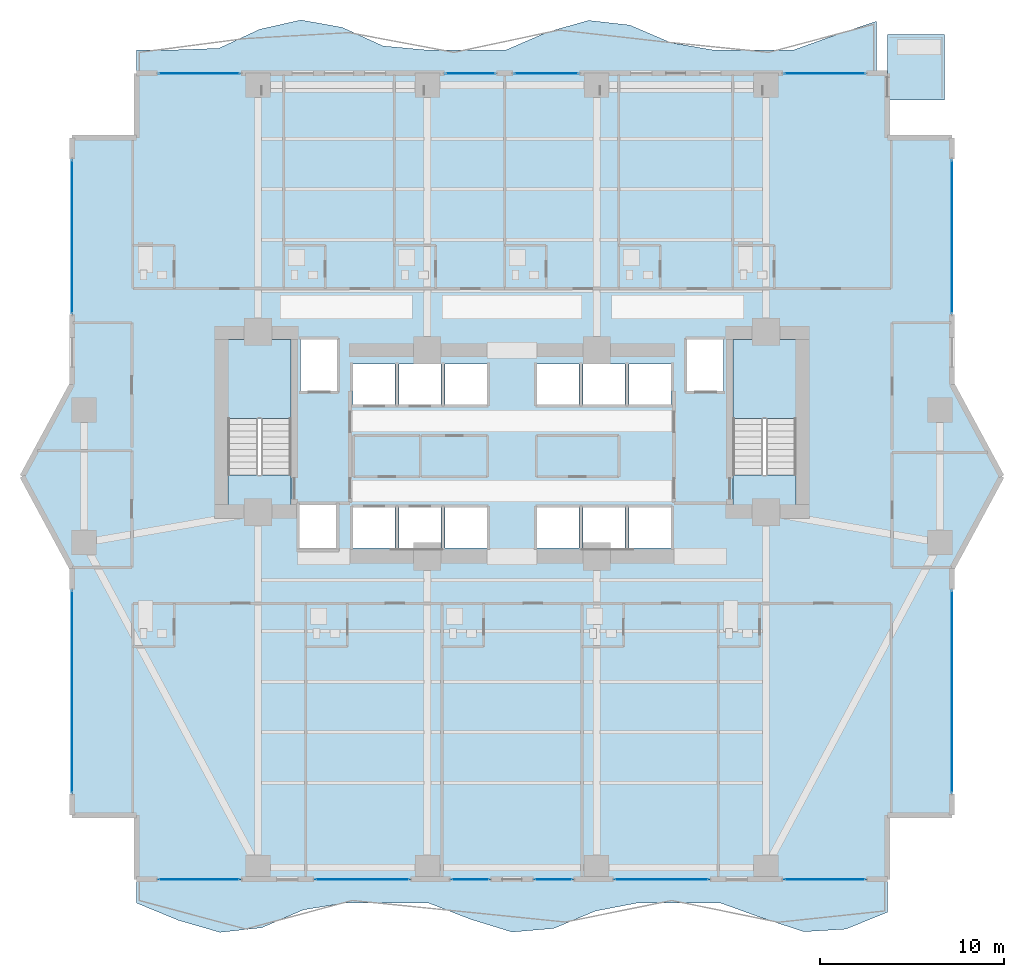
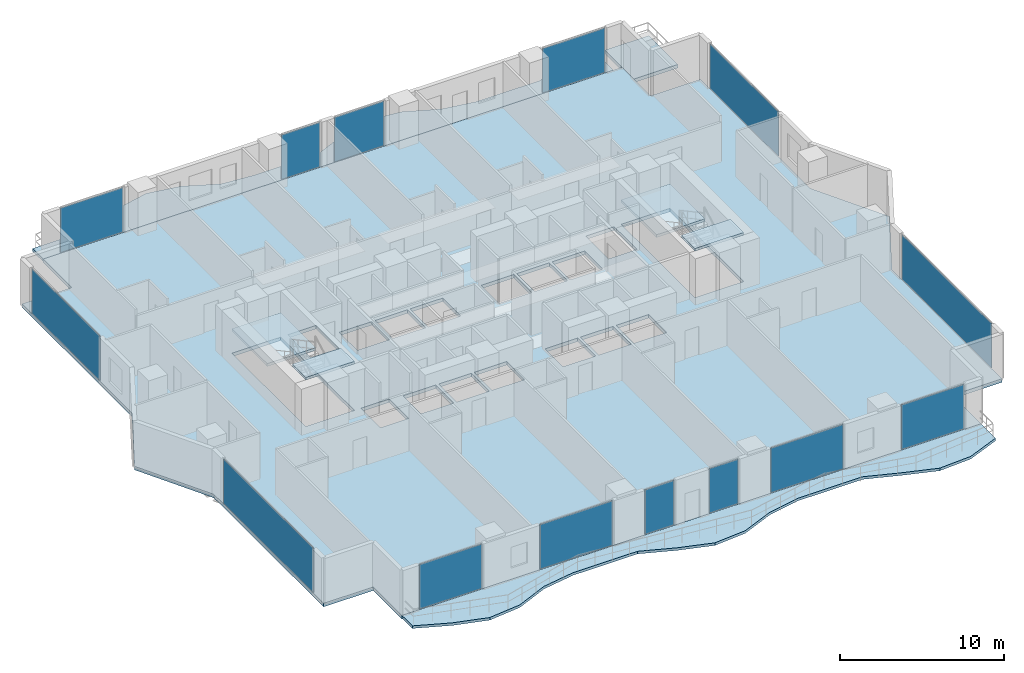
# One storey, part 19 of 29: 14 plates, 8 slabs, 16 elements without a shape of their own.
"""IFC4 building model written with IfcOpenShell, lengths in metres."""

from ifc_helpers import new_model, si_unit, direction, frame, origin, origin_2d, place, context, subcontext, project, spatial, polyline, rectangle, outline, extrude, material, layer, layer_set, type_object, element, aggregate, save


model = new_model("IFC4")

# Units and contexts
model_context = context("Model", 3, precision=1e-05, world=origin(), true_north=direction((0.0, 1.0)))
body_context = subcontext(model_context, "Body", "Model", "MODEL_VIEW")
ifc_project = project(units=[si_unit("LENGTHUNIT", "METRE"), si_unit("AREAUNIT", "SQUARE_METRE"), si_unit("VOLUMEUNIT", "CUBIC_METRE"), si_unit("PLANEANGLEUNIT", "RADIAN"), si_unit("MASSUNIT", "GRAM", prefix="KILO")], contexts=[model_context])

# Site, building, storey
site_placement = place(None, origin())
site = spatial("IfcSite", under=ifc_project, at=site_placement, CompositionType="ELEMENT")
building_placement = place(site_placement, origin())
building = spatial("IfcBuilding", under=site, at=building_placement, Name="Zuhayl Quay Hotel", CompositionType="ELEMENT")
storey_placement = place(building_placement, frame((0.0, 0.0, 95.64990234375)))
storey = spatial("IfcBuildingStorey", under=building, at=storey_placement, Name="L23", CompositionType="ELEMENT", Elevation=95.64990234375)

# Curtain wall, plate
ifc_material_1 = material(Name="Anodised Aluminium 6063-T6", Category="aluminium")
ifc_layer_1 = layer(ifc_material_1, 0.179931640625, Name="Anodised Aluminium 6063-T6", Category="aluminium")
ifc_layer_set_1 = layer_set([ifc_layer_1], Name="Anodised Aluminium 6063-T6")
curtain_wall_type = type_object("IfcCurtainWallType", Name="CW_SYS_Z2", PredefinedType="USERDEFINED", material=ifc_layer_set_1)
curtain_wall_1_placement = place(storey_placement, origin())
curtain_wall_1 = element("IfcCurtainWall", 1, at=curtain_wall_1_placement, inside=storey, type_object=curtain_wall_type, Name="L23 Curtain Wall ENV_L23_E02_CW1", ObjectType="UNITISED CURTAIN WALL", PredefinedType="USERDEFINED")
ifc_material_2 = material(Name="Dark Ceramic-Fritted Solar Glass", Category="glass")
ifc_layer_2 = layer(ifc_material_2, 0.035888671875, Name="Dark Ceramic-Fritted Solar Glass", Category="glass")
ifc_layer_set_2 = layer_set([ifc_layer_2], Name="Dark Ceramic-Fritted Solar Glass")
plate_type = type_object("IfcPlateType", Name="PN_DARK_FRIT_Z1", PredefinedType="CURTAIN_PANEL", material=ifc_layer_set_2)
plate_1_placement = place(storey_placement, frame((-23.89990234375, -5.199951171875, 0.06005859375), z_axis=(0.0, 0.0, 1.0), x_axis=(0.0, 1.0, 0.0)))
plate_1 = element("IfcPlate", 2, at=plate_1_placement, type_object=plate_type, Name="CW-Z2 panel 1.1", PredefinedType="CURTAIN_PANEL", context=body_context, shape_type="SweptSolid", body=[
    extrude(rectangle(XDim=10.969970703125, YDim=0.035888671875, at=origin_2d()), origin(), (0.0, 0.0, 1.0), 3.31005859375),
])
aggregate(curtain_wall_1, [plate_1])

curtain_wall_2_placement = place(storey_placement, origin())
curtain_wall_2 = element("IfcCurtainWall", 3, at=curtain_wall_2_placement, inside=storey, type_object=curtain_wall_type, Name="L23 Curtain Wall ENV_L23_E05_CW1", ObjectType="UNITISED CURTAIN WALL", PredefinedType="USERDEFINED")
plate_2_placement = place(storey_placement, frame((-23.89990234375, 19.52490234375, 0.06005859375), z_axis=(0.0, 0.0, 1.0), x_axis=(0.0, 1.0, 0.0)))
plate_2 = element("IfcPlate", 4, at=plate_2_placement, type_object=plate_type, Name="CW-Z2 panel 1.1", PredefinedType="CURTAIN_PANEL", context=body_context, shape_type="SweptSolid", body=[
    extrude(rectangle(XDim=8.320068359375, YDim=0.035888671875, at=origin_2d()), origin(), (0.0, 0.0, 1.0), 3.31005859375),
])
aggregate(curtain_wall_2, [plate_2])

curtain_wall_3_placement = place(storey_placement, origin())
curtain_wall_3 = element("IfcCurtainWall", 5, at=curtain_wall_3_placement, inside=storey, type_object=curtain_wall_type, Name="L23 Curtain Wall ENV_L23_N_CW1", ObjectType="UNITISED CURTAIN WALL", PredefinedType="USERDEFINED")
plate_3_placement = place(storey_placement, frame((-16.985107421875, 28.39990234375, 0.06005859375), z_axis=(0.0, 0.0, 1.0), x_axis=(1.0, 0.0, 0.0)))
plate_3 = element("IfcPlate", 6, at=plate_3_placement, type_object=plate_type, Name="CW-Z2 panel 1.1", PredefinedType="CURTAIN_PANEL", context=body_context, shape_type="SweptSolid", body=[
    extrude(rectangle(XDim=4.39990234375, YDim=0.035888671875, at=origin_2d()), origin(), (0.0, 0.0, 1.0), 3.31005859375),
])
aggregate(curtain_wall_3, [plate_3])

curtain_wall_4_placement = place(storey_placement, origin())
curtain_wall_4 = element("IfcCurtainWall", 7, at=curtain_wall_4_placement, inside=storey, type_object=curtain_wall_type, Name="L23 Curtain Wall ENV_L23_N_CW2", ObjectType="UNITISED CURTAIN WALL", PredefinedType="USERDEFINED")
plate_4_placement = place(storey_placement, frame((-2.264892578125, 28.39990234375, 0.06005859375), z_axis=(0.0, 0.0, 1.0), x_axis=(1.0, 0.0, 0.0)))
plate_4 = element("IfcPlate", 8, at=plate_4_placement, type_object=plate_type, Name="CW-Z2 panel 1.1", PredefinedType="CURTAIN_PANEL", context=body_context, shape_type="SweptSolid", body=[
    extrude(rectangle(XDim=2.699951171875, YDim=0.035888671875, at=origin_2d()), origin(), (0.0, 0.0, 1.0), 3.31005859375),
])
aggregate(curtain_wall_4, [plate_4])

curtain_wall_5_placement = place(storey_placement, origin())
curtain_wall_5 = element("IfcCurtainWall", 9, at=curtain_wall_5_placement, inside=storey, type_object=curtain_wall_type, Name="L23 Curtain Wall ENV_L23_N_CW3", ObjectType="UNITISED CURTAIN WALL", PredefinedType="USERDEFINED")
plate_5_placement = place(storey_placement, frame((1.864990234375, 28.39990234375, 0.06005859375), z_axis=(0.0, 0.0, 1.0), x_axis=(1.0, 0.0, 0.0)))
plate_5 = element("IfcPlate", 10, at=plate_5_placement, type_object=plate_type, Name="CW-Z2 panel 1.1", PredefinedType="CURTAIN_PANEL", context=body_context, shape_type="SweptSolid", body=[
    extrude(rectangle(XDim=3.5, YDim=0.035888671875, at=origin_2d()), origin(), (0.0, 0.0, 1.0), 3.31005859375),
])
aggregate(curtain_wall_5, [plate_5])

curtain_wall_6_placement = place(storey_placement, origin())
curtain_wall_6 = element("IfcCurtainWall", 11, at=curtain_wall_6_placement, inside=storey, type_object=curtain_wall_type, Name="L23 Curtain Wall ENV_L23_N_CW4", ObjectType="UNITISED CURTAIN WALL", PredefinedType="USERDEFINED")
plate_6_placement = place(storey_placement, frame((16.985107421875, 28.39990234375, 0.06005859375), z_axis=(0.0, 0.0, 1.0), x_axis=(1.0, 0.0, 0.0)))
plate_6 = element("IfcPlate", 12, at=plate_6_placement, type_object=plate_type, Name="CW-Z2 panel 1.1", PredefinedType="CURTAIN_PANEL", context=body_context, shape_type="SweptSolid", body=[
    extrude(rectangle(XDim=4.39990234375, YDim=0.035888671875, at=origin_2d()), origin(), (0.0, 0.0, 1.0), 3.31005859375),
])
aggregate(curtain_wall_6, [plate_6])

curtain_wall_7_placement = place(storey_placement, origin())
curtain_wall_7 = element("IfcCurtainWall", 13, at=curtain_wall_7_placement, inside=storey, type_object=curtain_wall_type, Name="L23 Curtain Wall ENV_L23_E11_CW1", ObjectType="UNITISED CURTAIN WALL", PredefinedType="USERDEFINED")
plate_7_placement = place(storey_placement, frame((23.89990234375, 19.52490234375, 0.06005859375), z_axis=(0.0, 0.0, 1.0), x_axis=(0.0, -1.0, 0.0)))
plate_7 = element("IfcPlate", 14, at=plate_7_placement, type_object=plate_type, Name="CW-Z2 panel 1.1", PredefinedType="CURTAIN_PANEL", context=body_context, shape_type="SweptSolid", body=[
    extrude(rectangle(XDim=8.320068359375, YDim=0.035888671875, at=origin_2d()), origin(), (0.0, 0.0, 1.0), 3.31005859375),
])
aggregate(curtain_wall_7, [plate_7])

curtain_wall_8_placement = place(storey_placement, origin())
curtain_wall_8 = element("IfcCurtainWall", 15, at=curtain_wall_8_placement, inside=storey, type_object=curtain_wall_type, Name="L23 Curtain Wall ENV_L23_E14_CW1", ObjectType="UNITISED CURTAIN WALL", PredefinedType="USERDEFINED")
plate_8_placement = place(storey_placement, frame((23.89990234375, -5.199951171875, 0.06005859375), z_axis=(0.0, 0.0, 1.0), x_axis=(0.0, -1.0, 0.0)))
plate_8 = element("IfcPlate", 16, at=plate_8_placement, type_object=plate_type, Name="CW-Z2 panel 1.1", PredefinedType="CURTAIN_PANEL", context=body_context, shape_type="SweptSolid", body=[
    extrude(rectangle(XDim=10.969970703125, YDim=0.035888671875, at=origin_2d()), origin(), (0.0, 0.0, 1.0), 3.31005859375),
])
aggregate(curtain_wall_8, [plate_8])

curtain_wall_9_placement = place(storey_placement, origin())
curtain_wall_9 = element("IfcCurtainWall", 17, at=curtain_wall_9_placement, inside=storey, type_object=curtain_wall_type, Name="L23 Curtain Wall ENV_L23_S_CW1", ObjectType="UNITISED CURTAIN WALL", PredefinedType="USERDEFINED")
plate_9_placement = place(storey_placement, frame((16.985107421875, -15.39990234375, 0.06005859375), z_axis=(0.0, 0.0, 1.0), x_axis=(-1.0, 0.0, 0.0)))
plate_9 = element("IfcPlate", 18, at=plate_9_placement, type_object=plate_type, Name="CW-Z2 panel 1.1", PredefinedType="CURTAIN_PANEL", context=body_context, shape_type="SweptSolid", body=[
    extrude(rectangle(XDim=4.39990234375, YDim=0.035888671875, at=origin_2d()), origin(), (0.0, 0.0, 1.0), 3.31005859375),
])
aggregate(curtain_wall_9, [plate_9])

curtain_wall_10_placement = place(storey_placement, origin())
curtain_wall_10 = element("IfcCurtainWall", 19, at=curtain_wall_10_placement, inside=storey, type_object=curtain_wall_type, Name="L23 Curtain Wall ENV_L23_S_CW2", ObjectType="UNITISED CURTAIN WALL", PredefinedType="USERDEFINED")
plate_10_placement = place(storey_placement, frame((8.135009765625, -15.39990234375, 0.06005859375), z_axis=(0.0, 0.0, 1.0), x_axis=(-1.0, 0.0, 0.0)))
plate_10 = element("IfcPlate", 20, at=plate_10_placement, type_object=plate_type, Name="CW-Z2 panel 1.1", PredefinedType="CURTAIN_PANEL", context=body_context, shape_type="SweptSolid", body=[
    extrude(rectangle(XDim=5.10009765625, YDim=0.035888671875, at=origin_2d()), origin(), (0.0, 0.0, 1.0), 3.31005859375),
])
aggregate(curtain_wall_10, [plate_10])

curtain_wall_11_placement = place(storey_placement, origin())
curtain_wall_11 = element("IfcCurtainWall", 21, at=curtain_wall_11_placement, inside=storey, type_object=curtain_wall_type, Name="L23 Curtain Wall ENV_L23_S_CW3", ObjectType="UNITISED CURTAIN WALL", PredefinedType="USERDEFINED")
plate_11_placement = place(storey_placement, frame((2.262451171875, -15.39990234375, 0.06005859375), z_axis=(0.0, 0.0, 1.0), x_axis=(-1.0, 0.0, 0.0)))
plate_11 = element("IfcPlate", 22, at=plate_11_placement, type_object=plate_type, Name="CW-Z2 panel 1.1", PredefinedType="CURTAIN_PANEL", context=body_context, shape_type="SweptSolid", body=[
    extrude(rectangle(XDim=2.044921875, YDim=0.035888671875, at=origin_2d()), origin(), (0.0, 0.0, 1.0), 3.31005859375),
])
aggregate(curtain_wall_11, [plate_11])

curtain_wall_12_placement = place(storey_placement, origin())
curtain_wall_12 = element("IfcCurtainWall", 23, at=curtain_wall_12_placement, inside=storey, type_object=curtain_wall_type, Name="L23 Curtain Wall ENV_L23_S_CW4", ObjectType="UNITISED CURTAIN WALL", PredefinedType="USERDEFINED")
plate_12_placement = place(storey_placement, frame((-2.262451171875, -15.39990234375, 0.06005859375), z_axis=(0.0, 0.0, 1.0), x_axis=(-1.0, 0.0, 0.0)))
plate_12 = element("IfcPlate", 24, at=plate_12_placement, type_object=plate_type, Name="CW-Z2 panel 1.1", PredefinedType="CURTAIN_PANEL", context=body_context, shape_type="SweptSolid", body=[
    extrude(rectangle(XDim=2.044921875, YDim=0.035888671875, at=origin_2d()), origin(), (0.0, 0.0, 1.0), 3.31005859375),
])
aggregate(curtain_wall_12, [plate_12])

curtain_wall_13_placement = place(storey_placement, origin())
curtain_wall_13 = element("IfcCurtainWall", 25, at=curtain_wall_13_placement, inside=storey, type_object=curtain_wall_type, Name="L23 Curtain Wall ENV_L23_S_CW5", ObjectType="UNITISED CURTAIN WALL", PredefinedType="USERDEFINED")
plate_13_placement = place(storey_placement, frame((-8.135009765625, -15.39990234375, 0.06005859375), z_axis=(0.0, 0.0, 1.0), x_axis=(-1.0, 0.0, 0.0)))
plate_13 = element("IfcPlate", 26, at=plate_13_placement, type_object=plate_type, Name="CW-Z2 panel 1.1", PredefinedType="CURTAIN_PANEL", context=body_context, shape_type="SweptSolid", body=[
    extrude(rectangle(XDim=5.10009765625, YDim=0.035888671875, at=origin_2d()), origin(), (0.0, 0.0, 1.0), 3.31005859375),
])
aggregate(curtain_wall_13, [plate_13])

curtain_wall_14_placement = place(storey_placement, origin())
curtain_wall_14 = element("IfcCurtainWall", 27, at=curtain_wall_14_placement, inside=storey, type_object=curtain_wall_type, Name="L23 Curtain Wall ENV_L23_S_CW6", ObjectType="UNITISED CURTAIN WALL", PredefinedType="USERDEFINED")
plate_14_placement = place(storey_placement, frame((-16.985107421875, -15.39990234375, 0.06005859375), z_axis=(0.0, 0.0, 1.0), x_axis=(-1.0, 0.0, 0.0)))
plate_14 = element("IfcPlate", 28, at=plate_14_placement, type_object=plate_type, Name="CW-Z2 panel 1.1", PredefinedType="CURTAIN_PANEL", context=body_context, shape_type="SweptSolid", body=[
    extrude(rectangle(XDim=4.39990234375, YDim=0.035888671875, at=origin_2d()), origin(), (0.0, 0.0, 1.0), 3.31005859375),
])
aggregate(curtain_wall_14, [plate_14])

# Slabs
ifc_material_3 = material(Name="Concrete C45/55", Category="concrete")
ifc_layer_3 = layer(ifc_material_3, 0.195068359375, Name="Concrete C45/55", Category="concrete")
ifc_layer_set_3 = layer_set([ifc_layer_3], Name="Concrete C45/55")
slab_type_1 = type_object("IfcSlabType", Name="SL_BALCONY_195", PredefinedType="FLOOR", material=ifc_layer_set_3)
slab_1_placement = place(storey_placement, frame((0.0, 0.0, -0.19482421875)))
element("IfcSlab", 29, at=slab_1_placement, inside=storey, type_object=slab_type_1, Name="L23 Exterior Rippling Balcony Slab North", PredefinedType="FLOOR", context=body_context, shape_type="SweptSolid", body=[
    extrude(outline(polyline([(-20.39990234375, 28.39990234375), (19.800048828125, 28.39990234375), (19.800048828125, 31.228271484375), (17.566650390625, 30.482666015625), (15.333251953125, 29.679931640625), (13.10009765625, 29.679931640625), (10.86669921875, 29.679931640625), (8.63330078125, 30.06640625), (6.39990234375, 31.021484375), (4.166748046875, 31.27587890625), (1.933349609375, 30.646484375), (-0.300048828125, 29.679931640625), (-2.533203125, 29.679931640625), (-4.7666015625, 29.679931640625), (-7.0, 29.88671875), (-9.2333984375, 30.8984375), (-11.466796875, 31.29833984375), (-13.699951171875, 30.7978515625), (-15.933349609375, 29.75830078125), (-18.166748046875, 29.679931640625), (-20.39990234375, 29.679931640625), (-20.39990234375, 28.39990234375)])), origin(), (0.0, 0.0, 1.0), 0.19482421875),
])
slab_2_placement = place(storey_placement, frame((0.0, 0.0, -0.19482421875)))
element("IfcSlab", 30, at=slab_2_placement, inside=storey, type_object=slab_type_1, Name="L23 Exterior Rippling Balcony Slab South", PredefinedType="FLOOR", context=body_context, shape_type="SweptSolid", body=[
    extrude(outline(polyline([(-20.39990234375, -16.679931640625), (-18.13330078125, -17.617431640625), (-15.86669921875, -18.272705078125), (-13.60009765625, -18.021484375), (-11.333251953125, -17.050048828125), (-9.066650390625, -16.679931640625), (-6.800048828125, -16.679931640625), (-4.533203125, -16.679931640625), (-2.2666015625, -17.558349609375), (0.0, -18.25732421875), (2.2666015625, -18.061279296875), (4.533203125, -17.115478515625), (6.800048828125, -16.679931640625), (9.066650390625, -16.679931640625), (11.333251953125, -16.679931640625), (13.60009765625, -17.498046875), (15.86669921875, -18.23876953125), (18.13330078125, -18.098388671875), (20.39990234375, -17.1806640625), (20.39990234375, -15.39990234375), (-20.39990234375, -15.39990234375), (-20.39990234375, -16.679931640625)])), origin(), (0.0, 0.0, 1.0), 0.19482421875),
])
ifc_layer_4 = layer(ifc_material_3, 0.260009765625, Name="Concrete C45/55", Category="concrete")
ifc_layer_set_4 = layer_set([ifc_layer_4], Name="Concrete C45/55")
slab_type_2 = type_object("IfcSlabType", Name="SL_FLOOR_260", PredefinedType="FLOOR", material=ifc_layer_set_4)
slab_3_placement = place(storey_placement, frame((0.0, 0.0, -0.260009765625)))
element("IfcSlab", 31, at=slab_3_placement, inside=storey, type_object=slab_type_2, Name="L23 Structural Floor Slab", PredefinedType="FLOOR", context=body_context, shape_type="SweptSolid", body=[
    extrude(outline(polyline([(-20.39990234375, -15.39990234375), (20.39990234375, -15.39990234375), (20.39990234375, -11.89990234375), (23.89990234375, -11.89990234375), (23.89990234375, 1.5), (26.60009765625, 6.5), (23.89990234375, 11.5), (23.89990234375, 24.89990234375), (20.39990234375, 24.89990234375), (20.39990234375, 28.39990234375), (-20.39990234375, 28.39990234375), (-20.39990234375, 24.89990234375), (-23.89990234375, 24.89990234375), (-23.89990234375, 11.5), (-26.60009765625, 6.5), (-23.89990234375, 1.5), (-23.89990234375, -11.89990234375), (-20.39990234375, -11.89990234375), (-20.39990234375, -15.39990234375)]), holes=[polyline([(-12.0, 4.949951171875), (-12.0, 13.949951171875), (-15.429931640625, 13.949951171875), (-15.429931640625, 4.949951171875), (-12.0, 4.949951171875)]), polyline([(15.429931640625, 4.949951171875), (15.429931640625, 13.949951171875), (12.0, 13.949951171875), (12.0, 4.949951171875), (15.429931640625, 4.949951171875)]), polyline([(-11.5, 11.14990234375), (-9.5, 11.14990234375), (-9.5, 13.949951171875), (-11.5, 13.949951171875), (-11.5, 11.14990234375)]), polyline([(9.5, 11.14990234375), (11.5, 11.14990234375), (11.5, 13.949951171875), (9.5, 13.949951171875), (9.5, 11.14990234375)]), polyline([(-8.64990234375, 2.60009765625), (-6.35009765625, 2.60009765625), (-6.35009765625, 4.800048828125), (-8.64990234375, 4.800048828125), (-8.64990234375, 2.60009765625)]), polyline([(-6.14990234375, 2.60009765625), (-3.85009765625, 2.60009765625), (-3.85009765625, 4.800048828125), (-6.14990234375, 4.800048828125), (-6.14990234375, 2.60009765625)]), polyline([(-8.64990234375, 10.39990234375), (-6.35009765625, 10.39990234375), (-6.35009765625, 12.60009765625), (-8.64990234375, 12.60009765625), (-8.64990234375, 10.39990234375)]), polyline([(-6.14990234375, 10.39990234375), (-3.85009765625, 10.39990234375), (-3.85009765625, 12.60009765625), (-6.14990234375, 12.60009765625), (-6.14990234375, 10.39990234375)]), polyline([(-3.64990234375, 2.60009765625), (-1.35009765625, 2.60009765625), (-1.35009765625, 4.800048828125), (-3.64990234375, 4.800048828125), (-3.64990234375, 2.60009765625)]), polyline([(1.35009765625, 2.60009765625), (3.64990234375, 2.60009765625), (3.64990234375, 4.800048828125), (1.35009765625, 4.800048828125), (1.35009765625, 2.60009765625)]), polyline([(-3.64990234375, 10.39990234375), (-1.35009765625, 10.39990234375), (-1.35009765625, 12.60009765625), (-3.64990234375, 12.60009765625), (-3.64990234375, 10.39990234375)]), polyline([(1.35009765625, 10.39990234375), (3.64990234375, 10.39990234375), (3.64990234375, 12.60009765625), (1.35009765625, 12.60009765625), (1.35009765625, 10.39990234375)]), polyline([(3.85009765625, 2.60009765625), (6.14990234375, 2.60009765625), (6.14990234375, 4.800048828125), (3.85009765625, 4.800048828125), (3.85009765625, 2.60009765625)]), polyline([(6.35009765625, 2.60009765625), (8.64990234375, 2.60009765625), (8.64990234375, 4.800048828125), (6.35009765625, 4.800048828125), (6.35009765625, 2.60009765625)]), polyline([(3.85009765625, 10.39990234375), (6.14990234375, 10.39990234375), (6.14990234375, 12.60009765625), (3.85009765625, 12.60009765625), (3.85009765625, 10.39990234375)]), polyline([(6.35009765625, 10.39990234375), (8.64990234375, 10.39990234375), (8.64990234375, 12.60009765625), (6.35009765625, 12.60009765625), (6.35009765625, 10.39990234375)]), polyline([(-11.550048828125, 2.550048828125), (-9.550048828125, 2.550048828125), (-9.550048828125, 4.949951171875), (-11.550048828125, 4.949951171875), (-11.550048828125, 2.550048828125)])]), origin(), (0.0, 0.0, 1.0), 0.260009765625),
])

# Stair, slabs
stair_type = type_object("IfcStairType", Name="ST_DOGLEG_TOWER", PredefinedType="HALF_TURN_STAIR", material=ifc_material_3)
stair_1_placement = place(storey_placement, origin())
stair_1 = element("IfcStair", 32, at=stair_1_placement, inside=storey, type_object=stair_type, Name="L23 Smokeproof Exit Stair ST1", PredefinedType="HALF_TURN_STAIR")
ifc_layer_5 = layer(ifc_material_3, 0.199951171875, Name="Concrete C45/55", Category="concrete")
ifc_layer_set_5 = layer_set([ifc_layer_5], Name="Concrete C45/55")
slab_type_3 = type_object("IfcSlabType", Name="SL_STAIR_LANDING_200", PredefinedType="LANDING", material=ifc_layer_set_5)
slab_4_placement = place(storey_placement, frame((0.0, 0.0, 1.625)))
slab_4 = element("IfcSlab", 33, at=slab_4_placement, type_object=slab_type_3, Name="ST1 landing 1", PredefinedType="LANDING", context=body_context, shape_type="SweptSolid", body=[
    extrude(outline(polyline([(-12.0, 9.64990234375), (-12.0, 13.949951171875), (-15.429931640625, 13.949951171875), (-15.429931640625, 9.64990234375), (-12.0, 9.64990234375)])), origin(), (0.0, 0.0, 1.0), 0.2001953125),
])
slab_5_placement = place(storey_placement, frame((0.0, 0.0, 3.4501953125)))
slab_5 = element("IfcSlab", 34, at=slab_5_placement, type_object=slab_type_3, Name="ST1 landing 2", PredefinedType="LANDING", context=body_context, shape_type="SweptSolid", body=[
    extrude(outline(polyline([(-12.0, 4.949951171875), (-12.0, 6.590087890625), (-15.429931640625, 6.590087890625), (-15.429931640625, 4.949951171875), (-12.0, 4.949951171875)])), origin(), (0.0, 0.0, 1.0), 0.199951171875),
])
aggregate(stair_1, [slab_4, slab_5])

stair_2_placement = place(storey_placement, origin())
stair_2 = element("IfcStair", 35, at=stair_2_placement, inside=storey, type_object=stair_type, Name="L23 Smokeproof Exit Stair ST2", PredefinedType="HALF_TURN_STAIR")
slab_6_placement = place(storey_placement, frame((0.0, 0.0, 1.625)))
slab_6 = element("IfcSlab", 36, at=slab_6_placement, type_object=slab_type_3, Name="ST2 landing 1", PredefinedType="LANDING", context=body_context, shape_type="SweptSolid", body=[
    extrude(outline(polyline([(15.429931640625, 9.64990234375), (15.429931640625, 13.949951171875), (12.0, 13.949951171875), (12.0, 9.64990234375), (15.429931640625, 9.64990234375)])), origin(), (0.0, 0.0, 1.0), 0.2001953125),
])
slab_7_placement = place(storey_placement, frame((0.0, 0.0, 3.4501953125)))
slab_7 = element("IfcSlab", 37, at=slab_7_placement, type_object=slab_type_3, Name="ST2 landing 2", PredefinedType="LANDING", context=body_context, shape_type="SweptSolid", body=[
    extrude(outline(polyline([(15.429931640625, 4.949951171875), (15.429931640625, 6.590087890625), (12.0, 6.590087890625), (12.0, 4.949951171875), (15.429931640625, 4.949951171875)])), origin(), (0.0, 0.0, 1.0), 0.199951171875),
])
aggregate(stair_2, [slab_6, slab_7])

# Slab
ifc_layer_6 = layer(ifc_material_3, 0.219970703125, Name="Concrete C45/55", Category="concrete")
ifc_layer_set_6 = layer_set([ifc_layer_6], Name="Concrete C45/55")
slab_type_4 = type_object("IfcSlabType", Name="SL_TERRACE_235", PredefinedType="FLOOR", material=ifc_layer_set_6)
slab_8_placement = place(storey_placement, frame((0.0, 0.0, -0.260009765625)))
element("IfcSlab", 38, at=slab_8_placement, inside=storey, type_object=slab_type_4, Name="L23 Exterior Sky-Terrace Slab L23_SPIRAL_NE", PredefinedType="FLOOR", context=body_context, shape_type="SweptSolid", body=[
    extrude(outline(polyline([(20.39990234375, 26.949951171875), (23.5, 26.949951171875), (23.5, 30.5), (20.39990234375, 30.5), (20.39990234375, 26.949951171875)])), origin(), (0.0, 0.0, 1.0), 0.260009765625),
])

save(model, "model.ifc")
